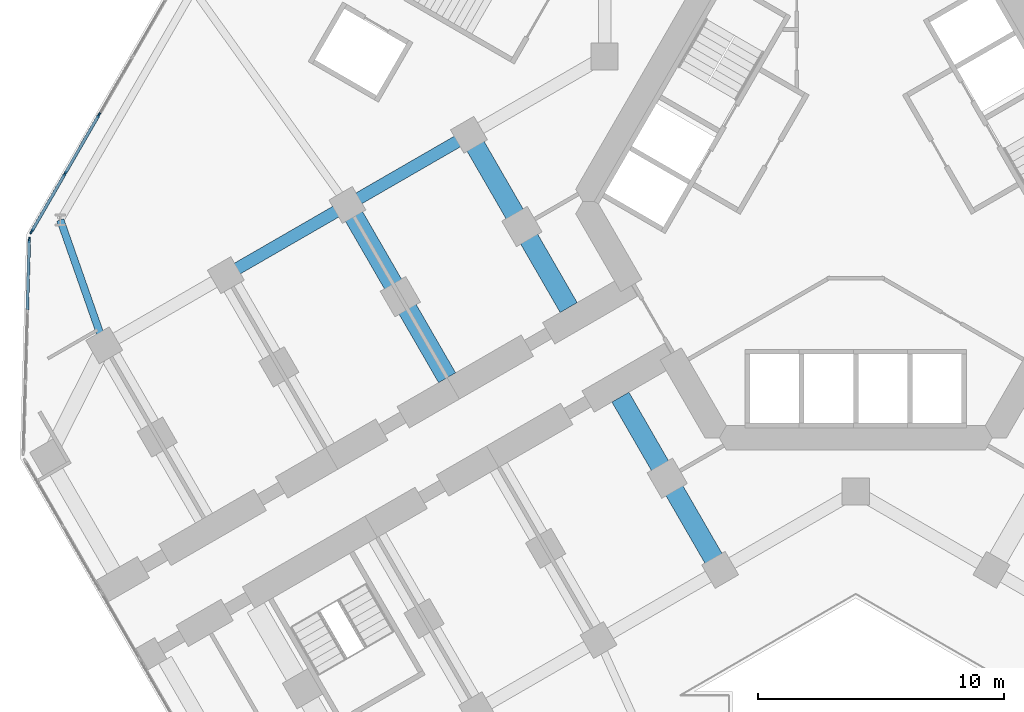
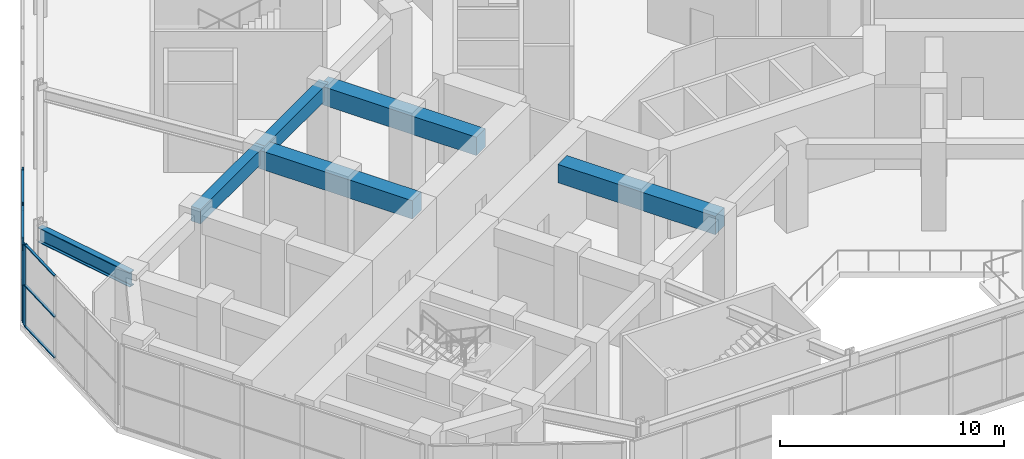
# One storey, part 4 of 21: 13 members, 6 beams, 2 elements without a shape of their own.
"""IFC4 building model written with IfcOpenShell, lengths in metres."""

from ifc_helpers import new_model, si_unit, direction, frame, origin, origin_2d, place, context, subcontext, project, spatial, rectangle, i_section, extrude, material, material_profile, profile_set, type_object, element, aggregate, save


model = new_model("IFC4")

# Units and contexts
model_context = context("Model", 3, precision=1e-05, world=origin(), true_north=direction((0.0, 1.0)))
body_context = subcontext(model_context, "Body", "Model", "MODEL_VIEW")
ifc_project = project(units=[si_unit("LENGTHUNIT", "METRE"), si_unit("AREAUNIT", "SQUARE_METRE"), si_unit("VOLUMEUNIT", "CUBIC_METRE"), si_unit("PLANEANGLEUNIT", "RADIAN"), si_unit("MASSUNIT", "GRAM", prefix="KILO")], contexts=[model_context])

# Site, building, storey
site_placement = place(None, origin())
site = spatial("IfcSite", under=ifc_project, at=site_placement, CompositionType="ELEMENT")
building_placement = place(site_placement, origin())
building = spatial("IfcBuilding", under=site, at=building_placement, Name="Kosmar Iwan School Tower", CompositionType="ELEMENT")
storey_placement = place(building_placement, frame((0.0, 0.0, 6.0)))
storey = spatial("IfcBuildingStorey", under=building, at=storey_placement, Name="L01", CompositionType="ELEMENT", Elevation=6.0)

# Beam
ifc_material_1 = material(Name="Steel S355", Category="steel")
ifc_material_profile_1 = material_profile(ifc_material_1, i_section(OverallWidth=0.300048828125, OverallDepth=0.800048828125, WebThickness=0.017578125, FlangeThickness=0.032958984375, FilletRadius=0.030029296875, at=origin_2d()), Name="HE 800 B")
ifc_profile_set_1 = profile_set([ifc_material_profile_1], Name="Steel S355")
beam_type_1 = type_object("IfcBeamType", Name="Infill edge beam HE 800 B", PredefinedType="BEAM", material=ifc_profile_set_1)
beam_1_placement = place(storey_placement, frame((-30.517822265625, -5.841552734375, 4.10009765625), z_axis=(-0.330701081571, 0.943735553345, 0.0), x_axis=(-0.943735553345, -0.330701081571, 0.0)))
element("IfcBeam", 1, at=beam_1_placement, inside=storey, type_object=beam_type_1, Name="Infill edge beam AB1", PredefinedType="BEAM", context=body_context, shape_type="SweptSolid", body=[
    extrude(i_section(OverallWidth=0.300048828125, OverallDepth=0.800048828125, WebThickness=0.017578125, FlangeThickness=0.032958984375, FilletRadius=0.030029296875, at=origin_2d()), origin(), (0.0, 0.0, 1.0), 5.39599609375),
])

# Curtain wall, members
ifc_material_2 = material(Name="Dark glass in black aluminium frame", Category="aluminium")
curtain_wall_type = type_object("IfcCurtainWallType", Name="Podium curtain wall", PredefinedType="USERDEFINED", material=ifc_material_2)
curtain_wall_1_placement = place(storey_placement, origin())
curtain_wall_1 = element("IfcCurtainWall", 2, at=curtain_wall_1_placement, inside=storey, type_object=curtain_wall_type, Name="Curtain wall L01-F08", ObjectType="STICK CURTAIN WALL", PredefinedType="USERDEFINED")
ifc_material_3 = material(Name="Black anodised aluminium", Category="aluminium")
ifc_material_profile_2 = material_profile(ifc_material_3, rectangle(XDim=0.06494140625, YDim=0.219970703125, at=origin_2d()), Name="MULLION 65x220")
ifc_profile_set_2 = profile_set([ifc_material_profile_2], Name="Black anodised aluminium")
member_type_1 = type_object("IfcMemberType", Name="Podium mullion 65x220", PredefinedType="MULLION", material=ifc_profile_set_2)
member_1_placement = place(storey_placement, frame((-30.741455078125, 3.50439453125, 0.0), z_axis=(0.0, 0.0, 1.0), x_axis=(0.866025390869, -0.50000002237, 0.0)))
member_1 = element("IfcMember", 3, at=member_1_placement, type_object=member_type_1, Name="CW3 mullion 12", PredefinedType="MULLION", context=body_context, shape_type="SweptSolid", body=[
    extrude(rectangle(XDim=0.06494140625, YDim=0.219970703125, at=origin_2d()), origin(), (0.0, 0.0, 1.0), 4.5),
])
member_2_placement = place(storey_placement, frame((-32.112060546875, 1.13037109375, 0.0), z_axis=(0.0, 0.0, 1.0), x_axis=(0.866025390869, -0.50000002237, 0.0)))
member_2 = element("IfcMember", 4, at=member_2_placement, type_object=member_type_1, Name="CW3 mullion 13", PredefinedType="MULLION", context=body_context, shape_type="SweptSolid", body=[
    extrude(rectangle(XDim=0.06494140625, YDim=0.219970703125, at=origin_2d()), origin(), (0.0, 0.0, 1.0), 4.5),
])
member_3_placement = place(storey_placement, frame((-33.46630859375, -1.215576171875, 0.0), z_axis=(0.0, 0.0, 1.0), x_axis=(0.866025390869, -0.50000002237, 0.0)))
member_3 = element("IfcMember", 5, at=member_3_placement, type_object=member_type_1, Name="CW3 mullion 14", PredefinedType="MULLION", context=body_context, shape_type="SweptSolid", body=[
    extrude(rectangle(XDim=0.06494140625, YDim=0.219970703125, at=origin_2d()), origin(), (0.0, 0.0, 1.0), 4.5),
])

# Curtain wall, member
curtain_wall_2_placement = place(storey_placement, origin())
curtain_wall_2 = element("IfcCurtainWall", 6, at=curtain_wall_2_placement, inside=storey, type_object=curtain_wall_type, Name="Curtain wall L01-F09", ObjectType="STICK CURTAIN WALL", PredefinedType="USERDEFINED")
member_4_placement = place(storey_placement, frame((-33.562744140625, -1.555908203125, 0.0), z_axis=(0.0, 0.0, 1.0), x_axis=(0.999597032017, -0.028386151255, 0.0)))
member_4 = element("IfcMember", 7, at=member_4_placement, type_object=member_type_1, Name="CW3 mullion 1", PredefinedType="MULLION", context=body_context, shape_type="SweptSolid", body=[
    extrude(rectangle(XDim=0.06494140625, YDim=0.219970703125, at=origin_2d()), origin(), (0.0, 0.0, 1.0), 4.5),
])

# Beams
ifc_material_4 = material(Name="Concrete C50/60", Category="concrete")
ifc_material_profile_3 = material_profile(ifc_material_4, rectangle(XDim=0.5, YDim=0.800048828125, at=origin_2d()), Name="RC 500x800")
ifc_profile_set_3 = profile_set([ifc_material_profile_3], Name="Concrete C50/60")
beam_type_2 = type_object("IfcBeamType", Name="RC edge beam 500x800", PredefinedType="BEAM", material=ifc_profile_set_3)
beam_2_placement = place(storey_placement, frame((-15.708740234375, 2.70849609375, 4.10009765625), z_axis=(-0.866025820012, -0.499999279071, 0.0), x_axis=(0.499999279071, -0.866025820012, 0.0)))
element("IfcBeam", 8, at=beam_2_placement, inside=storey, type_object=beam_type_2, Name="Edge beam BR2", PredefinedType="BEAM", context=body_context, shape_type="SweptSolid", body=[
    extrude(rectangle(XDim=0.5, YDim=0.800048828125, at=origin_2d()), origin(), (0.0, 0.0, 1.0), 5.7001953125),
])
beam_3_placement = place(storey_placement, frame((-20.645263671875, -0.1416015625, 4.10009765625), z_axis=(-0.866033658841, -0.49998570155, 0.0), x_axis=(0.49998570155, -0.866033658841, 0.0)))
element("IfcBeam", 9, at=beam_3_placement, inside=storey, type_object=beam_type_2, Name="Edge beam BR3", PredefinedType="BEAM", context=body_context, shape_type="SweptSolid", body=[
    extrude(rectangle(XDim=0.5, YDim=0.800048828125, at=origin_2d()), origin(), (0.0, 0.0, 1.0), 5.699951171875),
])
ifc_material_5 = material(Name="Concrete C50/60", Category="concrete")
ifc_material_profile_4 = material_profile(ifc_material_5, rectangle(XDim=0.800048828125, YDim=1.0, at=origin_2d()), Name="RC 800x1000")
ifc_profile_set_4 = profile_set([ifc_material_profile_4], Name="Concrete C50/60")
beam_type_3 = type_object("IfcBeamType", Name="RC transverse beam 800x1000", PredefinedType="BEAM", material=ifc_profile_set_4)
for number, where, z_axis, x_axis, name in (
    (10, (-5.5087890625, -14.95849609375, 4.0), (-0.499999880539, 0.866025472755, 0.0), (-0.866025472755, -0.499999880539, 0.0), "Transverse beam BL1"),
    (11, (-15.708740234375, 2.70849609375, 4.0), (0.499999880539, -0.866025472755, 0.0), (0.866025472755, 0.499999880539, 0.0), "Transverse beam BR1"),
):
    element("IfcBeam", number, at=place(storey_placement, frame(where, z_axis=z_axis, x_axis=x_axis)), inside=storey, type_object=beam_type_3, Name=name, PredefinedType="BEAM", context=body_context, shape_type="SweptSolid", body=[
        extrude(rectangle(XDim=0.800048828125, YDim=1.0, at=origin_2d()), origin(), (0.0, 0.0, 1.0), 8.10009765625),
    ])
beam_4_placement = place(storey_placement, frame((-20.645263671875, -0.1416015625, 4.0), z_axis=(0.500012932018, -0.866017937352, 0.0), x_axis=(0.866017937352, 0.500012932018, 0.0)))
element("IfcBeam", 12, at=beam_4_placement, inside=storey, type_object=beam_type_3, Name="Transverse beam BR2", PredefinedType="BEAM", context=body_context, shape_type="SweptSolid", body=[
    extrude(rectangle(XDim=0.800048828125, YDim=1.0, at=origin_2d()), origin(), (0.0, 0.0, 1.0), 8.099853515625),
])

# Member
ifc_material_6 = material(Name="Black anodised aluminium", Category="aluminium")
ifc_material_profile_5 = material_profile(ifc_material_6, rectangle(XDim=0.1201171875, YDim=0.06005859375, at=origin_2d()), Name="TRANSOM 60x120")
ifc_profile_set_5 = profile_set([ifc_material_profile_5], Name="Black anodised aluminium")
member_type_2 = type_object("IfcMemberType", Name="Transom 60x120", PredefinedType="USERDEFINED", material=ifc_profile_set_5)
member_5_placement = place(storey_placement, frame((-30.757568359375, 3.476318359375, 0.030029296875), z_axis=(-0.499975134057, -0.866039759667, 0.0), x_axis=(0.866039759667, -0.499975134057, 0.0)))
member_5 = element("IfcMember", 13, at=member_5_placement, type_object=member_type_2, Name="CW3 transom 12.1", ObjectType="TRANSOM", PredefinedType="USERDEFINED", context=body_context, shape_type="SweptSolid", body=[
    extrude(rectangle(XDim=0.1201171875, YDim=0.06005859375, at=origin_2d()), origin(), (0.0, 0.0, 1.0), 2.676513671875),
])

member_6_placement = place(storey_placement, frame((-30.757568359375, 3.476318359375, 2.25), z_axis=(-0.499975134057, -0.866039759667, 0.0), x_axis=(0.866039759667, -0.499975134057, 0.0)))
member_6 = element("IfcMember", 14, at=member_6_placement, type_object=member_type_2, Name="CW3 transom 12.2", ObjectType="TRANSOM", PredefinedType="USERDEFINED", context=body_context, shape_type="SweptSolid", body=[
    extrude(rectangle(XDim=0.1201171875, YDim=0.06005859375, at=origin_2d()), origin(), (0.0, 0.0, 1.0), 2.676513671875),
])

member_7_placement = place(storey_placement, frame((-30.757568359375, 3.476318359375, 4.469970703125), z_axis=(-0.499975134057, -0.866039759667, 0.0), x_axis=(0.866039759667, -0.499975134057, 0.0)))
member_7 = element("IfcMember", 15, at=member_7_placement, type_object=member_type_2, Name="CW3 transom 12.3", ObjectType="TRANSOM", PredefinedType="USERDEFINED", context=body_context, shape_type="SweptSolid", body=[
    extrude(rectangle(XDim=0.1201171875, YDim=0.06005859375, at=origin_2d()), origin(), (0.0, 0.0, 1.0), 2.676513671875),
])

member_8_placement = place(storey_placement, frame((-32.128173828125, 1.102294921875, 0.030029296875), z_axis=(-0.500002203974, -0.866024131316, 0.0), x_axis=(0.866024131316, -0.500002203974, 0.0)))
member_8 = element("IfcMember", 16, at=member_8_placement, type_object=member_type_2, Name="CW3 transom 13.1", ObjectType="TRANSOM", PredefinedType="USERDEFINED", context=body_context, shape_type="SweptSolid", body=[
    extrude(rectangle(XDim=0.1201171875, YDim=0.06005859375, at=origin_2d()), origin(), (0.0, 0.0, 1.0), 2.64404296875),
])

member_9_placement = place(storey_placement, frame((-32.128173828125, 1.102294921875, 2.25), z_axis=(-0.500002203974, -0.866024131316, 0.0), x_axis=(0.866024131316, -0.500002203974, 0.0)))
member_9 = element("IfcMember", 17, at=member_9_placement, type_object=member_type_2, Name="CW3 transom 13.2", ObjectType="TRANSOM", PredefinedType="USERDEFINED", context=body_context, shape_type="SweptSolid", body=[
    extrude(rectangle(XDim=0.1201171875, YDim=0.06005859375, at=origin_2d()), origin(), (0.0, 0.0, 1.0), 2.64404296875),
])

member_10_placement = place(storey_placement, frame((-32.128173828125, 1.102294921875, 4.469970703125), z_axis=(-0.500002203974, -0.866024131316, 0.0), x_axis=(0.866024131316, -0.500002203974, 0.0)))
member_10 = element("IfcMember", 18, at=member_10_placement, type_object=member_type_2, Name="CW3 transom 13.3", ObjectType="TRANSOM", PredefinedType="USERDEFINED", context=body_context, shape_type="SweptSolid", body=[
    extrude(rectangle(XDim=0.1201171875, YDim=0.06005859375, at=origin_2d()), origin(), (0.0, 0.0, 1.0), 2.64404296875),
])

aggregate(curtain_wall_1, [member_1, member_2, member_3, member_5, member_6, member_7, member_8, member_9, member_10])

member_11_placement = place(storey_placement, frame((-33.563720703125, -1.588623046875, 0.030029296875), z_axis=(-0.028443064779, -0.999595414188, 0.0), x_axis=(0.999595414188, -0.028443064779, 0.0)))
member_11 = element("IfcMember", 19, at=member_11_placement, type_object=member_type_2, Name="CW3 transom 1.1", ObjectType="TRANSOM", PredefinedType="USERDEFINED", context=body_context, shape_type="SweptSolid", body=[
    extrude(rectangle(XDim=0.1201171875, YDim=0.06005859375, at=origin_2d()), origin(), (0.0, 0.0, 1.0), 2.806884765625),
])

member_12_placement = place(storey_placement, frame((-33.563720703125, -1.588623046875, 2.25), z_axis=(-0.028443064779, -0.999595414188, 0.0), x_axis=(0.999595414188, -0.028443064779, 0.0)))
member_12 = element("IfcMember", 20, at=member_12_placement, type_object=member_type_2, Name="CW3 transom 1.2", ObjectType="TRANSOM", PredefinedType="USERDEFINED", context=body_context, shape_type="SweptSolid", body=[
    extrude(rectangle(XDim=0.1201171875, YDim=0.06005859375, at=origin_2d()), origin(), (0.0, 0.0, 1.0), 2.806884765625),
])

member_13_placement = place(storey_placement, frame((-33.563720703125, -1.588623046875, 4.469970703125), z_axis=(-0.028443064779, -0.999595414188, 0.0), x_axis=(0.999595414188, -0.028443064779, 0.0)))
member_13 = element("IfcMember", 21, at=member_13_placement, type_object=member_type_2, Name="CW3 transom 1.3", ObjectType="TRANSOM", PredefinedType="USERDEFINED", context=body_context, shape_type="SweptSolid", body=[
    extrude(rectangle(XDim=0.1201171875, YDim=0.06005859375, at=origin_2d()), origin(), (0.0, 0.0, 1.0), 2.806884765625),
])

aggregate(curtain_wall_2, [member_4, member_11, member_12, member_13])

save(model, "model.ifc")
